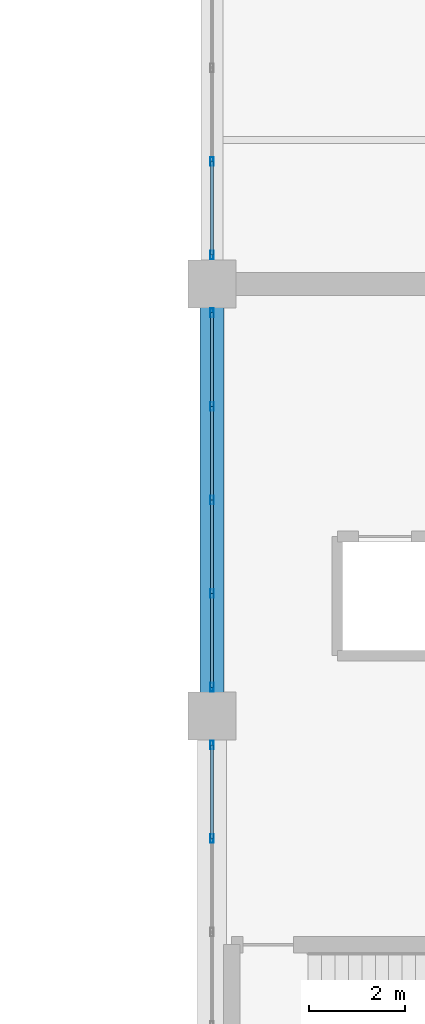
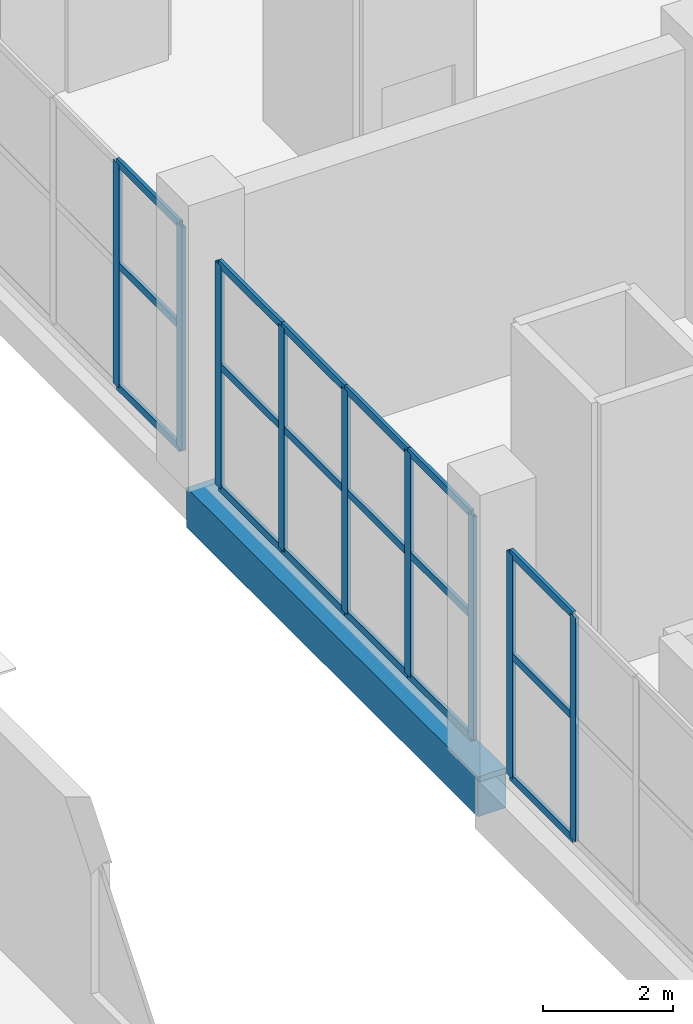
# One storey, part 17 of 147: 27 members, 1 beam, 3 elements without a shape of their own.
"""IFC4 building model written with IfcOpenShell, lengths in metres."""

from ifc_helpers import new_model, si_unit, direction, frame, origin, origin_2d, place, context, subcontext, project, spatial, rectangle, hollow_rectangle, extrude, material, layer, layer_set, material_profile, profile_set, type_object, element, aggregate, save


model = new_model("IFC4")

# Units and contexts
model_context = context("Model", 3, precision=1e-05, world=origin(), true_north=direction((0.0, 1.0)))
body_context = subcontext(model_context, "Body", "Model", "MODEL_VIEW")
ifc_project = project(units=[si_unit("LENGTHUNIT", "METRE"), si_unit("AREAUNIT", "SQUARE_METRE"), si_unit("VOLUMEUNIT", "CUBIC_METRE"), si_unit("PLANEANGLEUNIT", "RADIAN"), si_unit("MASSUNIT", "GRAM", prefix="KILO")], contexts=[model_context])

# Site, building, storey
site_placement = place(None, origin())
site = spatial("IfcSite", under=ifc_project, at=site_placement, CompositionType="ELEMENT")
building_placement = place(site_placement, origin())
building = spatial("IfcBuilding", under=site, at=building_placement, Name="Sundgate Opera House", CompositionType="ELEMENT")
storey_placement = place(building_placement, frame((0.0, 0.0, 6.0)))
storey = spatial("IfcBuildingStorey", under=building, at=storey_placement, Name="L01", CompositionType="ELEMENT", Elevation=6.0)

# Beam
ifc_material_1 = material(Name="Concrete C40/50", Category="concrete")
ifc_material_profile_1 = material_profile(ifc_material_1, rectangle(XDim=0.5, YDim=0.75, at=origin_2d()), Name="RC 500x750")
ifc_profile_set_1 = profile_set([ifc_material_profile_1], Name="Concrete C40/50")
beam_type = type_object("IfcBeamType", Name="BM-RC-500x750", PredefinedType="BEAM", material=ifc_profile_set_1)
beam_placement = place(storey_placement, frame((36.0, 51.0, -0.675048828125), z_axis=(0.0, 1.0, 0.0), x_axis=(-1.0, 0.0, 0.0)))
element("IfcBeam", 1, at=beam_placement, inside=storey, type_object=beam_type, Name="L01 Primary N-S Girder B1112", PredefinedType="BEAM", context=body_context, shape_type="SweptSolid", body=[
    extrude(rectangle(XDim=0.5, YDim=0.75, at=origin_2d()), origin(), (0.0, 0.0, 1.0), 9.0),
])

# Curtain wall, members
ifc_material_2 = material(Name="Anodized aluminium and low-iron glass", Category="aluminium")
ifc_layer = layer(ifc_material_2, 0.179931640625)
ifc_layer_set = layer_set([ifc_layer], Name="Anodized aluminium and low-iron glass")
curtain_wall_type = type_object("IfcCurtainWallType", Name="CW-FOYER-GLASS", PredefinedType="NOTDEFINED", material=ifc_layer_set)
curtain_wall_1_placement = place(storey_placement, origin())
curtain_wall_1 = element("IfcCurtainWall", 2, at=curtain_wall_1_placement, inside=storey, type_object=curtain_wall_type, Name="L01 Curtain Wall CW019", PredefinedType="NOTDEFINED")
ifc_material_3 = material(Name="Anodized aluminium EN AW-6063", Category="aluminium")
ifc_material_profile_2 = material_profile(ifc_material_3, hollow_rectangle(XDim=0.06494140625, YDim=0.179931640625, WallThickness=0.00390625, at=origin_2d()), Name="CWM 180x65x4")
ifc_profile_set_2 = profile_set([ifc_material_profile_2], Name="Anodized aluminium EN AW-6063")
member_type_1 = type_object("IfcMemberType", Name="CWM-ALU-180x65", PredefinedType="MULLION", material=ifc_profile_set_2)
member_1_placement = place(storey_placement, frame((36.0, 50.39990234375, 0.0), z_axis=(0.0, 0.0, 1.0), x_axis=(1.0, 0.0, 0.0)))
member_1 = element("IfcMember", 3, at=member_1_placement, type_object=member_type_1, Name="CW019 Mullion 1", PredefinedType="MULLION", context=body_context, shape_type="SweptSolid", body=[
    extrude(hollow_rectangle(XDim=0.06494140625, YDim=0.179931640625, WallThickness=0.00390625, at=origin_2d()), origin(), (0.0, 0.0, 1.0), 4.215087890625),
])
member_2_placement = place(storey_placement, frame((36.0, 48.449951171875, 0.0), z_axis=(0.0, 0.0, 1.0), x_axis=(1.0, 0.0, 0.0)))
member_2 = element("IfcMember", 4, at=member_2_placement, type_object=member_type_1, Name="CW019 Mullion 2", PredefinedType="MULLION", context=body_context, shape_type="SweptSolid", body=[
    extrude(hollow_rectangle(XDim=0.06494140625, YDim=0.179931640625, WallThickness=0.00390625, at=origin_2d()), origin(), (0.0, 0.0, 1.0), 4.215087890625),
])

curtain_wall_2_placement = place(storey_placement, origin())
curtain_wall_2 = element("IfcCurtainWall", 5, at=curtain_wall_2_placement, inside=storey, type_object=curtain_wall_type, Name="L01 Curtain Wall CW020", PredefinedType="NOTDEFINED")
member_3_placement = place(storey_placement, frame((36.0, 59.39990234375, 0.0), z_axis=(0.0, 0.0, 1.0), x_axis=(1.0, 0.0, 0.0)))
member_3 = element("IfcMember", 6, at=member_3_placement, type_object=member_type_1, Name="CW020 Mullion 1", PredefinedType="MULLION", context=body_context, shape_type="SweptSolid", body=[
    extrude(hollow_rectangle(XDim=0.06494140625, YDim=0.179931640625, WallThickness=0.00390625, at=origin_2d()), origin(), (0.0, 0.0, 1.0), 4.215087890625),
])
member_4_placement = place(storey_placement, frame((36.0, 57.449951171875, 0.0), z_axis=(0.0, 0.0, 1.0), x_axis=(1.0, 0.0, 0.0)))
member_4 = element("IfcMember", 7, at=member_4_placement, type_object=member_type_1, Name="CW020 Mullion 2", PredefinedType="MULLION", context=body_context, shape_type="SweptSolid", body=[
    extrude(hollow_rectangle(XDim=0.06494140625, YDim=0.179931640625, WallThickness=0.00390625, at=origin_2d()), origin(), (0.0, 0.0, 1.0), 4.215087890625),
])
member_5_placement = place(storey_placement, frame((36.0, 55.5, 0.0), z_axis=(0.0, 0.0, 1.0), x_axis=(1.0, 0.0, 0.0)))
member_5 = element("IfcMember", 8, at=member_5_placement, type_object=member_type_1, Name="CW020 Mullion 3", PredefinedType="MULLION", context=body_context, shape_type="SweptSolid", body=[
    extrude(hollow_rectangle(XDim=0.06494140625, YDim=0.179931640625, WallThickness=0.00390625, at=origin_2d()), origin(), (0.0, 0.0, 1.0), 4.215087890625),
])
member_6_placement = place(storey_placement, frame((36.0, 53.550048828125, 0.0), z_axis=(0.0, 0.0, 1.0), x_axis=(1.0, 0.0, 0.0)))
member_6 = element("IfcMember", 9, at=member_6_placement, type_object=member_type_1, Name="CW020 Mullion 4", PredefinedType="MULLION", context=body_context, shape_type="SweptSolid", body=[
    extrude(hollow_rectangle(XDim=0.06494140625, YDim=0.179931640625, WallThickness=0.00390625, at=origin_2d()), origin(), (0.0, 0.0, 1.0), 4.215087890625),
])
member_7_placement = place(storey_placement, frame((36.0, 51.60009765625, 0.0), z_axis=(0.0, 0.0, 1.0), x_axis=(1.0, 0.0, 0.0)))
member_7 = element("IfcMember", 10, at=member_7_placement, type_object=member_type_1, Name="CW020 Mullion 5", PredefinedType="MULLION", context=body_context, shape_type="SweptSolid", body=[
    extrude(hollow_rectangle(XDim=0.06494140625, YDim=0.179931640625, WallThickness=0.00390625, at=origin_2d()), origin(), (0.0, 0.0, 1.0), 4.215087890625),
])

curtain_wall_3_placement = place(storey_placement, origin())
curtain_wall_3 = element("IfcCurtainWall", 11, at=curtain_wall_3_placement, inside=storey, type_object=curtain_wall_type, Name="L01 Curtain Wall CW021", PredefinedType="NOTDEFINED")
member_8_placement = place(storey_placement, frame((36.0, 62.550048828125, 0.0), z_axis=(0.0, 0.0, 1.0), x_axis=(1.0, 0.0, 0.0)))
member_8 = element("IfcMember", 12, at=member_8_placement, type_object=member_type_1, Name="CW021 Mullion 4", PredefinedType="MULLION", context=body_context, shape_type="SweptSolid", body=[
    extrude(hollow_rectangle(XDim=0.06494140625, YDim=0.179931640625, WallThickness=0.00390625, at=origin_2d()), origin(), (0.0, 0.0, 1.0), 4.215087890625),
])
member_9_placement = place(storey_placement, frame((36.0, 60.60009765625, 0.0), z_axis=(0.0, 0.0, 1.0), x_axis=(1.0, 0.0, 0.0)))
member_9 = element("IfcMember", 13, at=member_9_placement, type_object=member_type_1, Name="CW021 Mullion 5", PredefinedType="MULLION", context=body_context, shape_type="SweptSolid", body=[
    extrude(hollow_rectangle(XDim=0.06494140625, YDim=0.179931640625, WallThickness=0.00390625, at=origin_2d()), origin(), (0.0, 0.0, 1.0), 4.215087890625),
])

# Member
ifc_material_4 = material(Name="Anodized aluminium EN AW-6063", Category="aluminium")
ifc_material_profile_3 = material_profile(ifc_material_4, hollow_rectangle(XDim=0.06005859375, YDim=0.139892578125, WallThickness=0.00390625, at=origin_2d()), Name="CWT 140x60x4")
ifc_profile_set_3 = profile_set([ifc_material_profile_3], Name="Anodized aluminium EN AW-6063")
member_type_2 = type_object("IfcMemberType", Name="CWT-ALU-140x60", PredefinedType="USERDEFINED", material=ifc_profile_set_3)
member_10_placement = place(storey_placement, frame((36.0, 50.39990234375, 0.0), z_axis=(0.0, -1.0, 0.0), x_axis=(1.0, 0.0, 0.0)))
member_10 = element("IfcMember", 14, at=member_10_placement, type_object=member_type_2, Name="CW019 Transom 1", ObjectType="TRANSOM", PredefinedType="USERDEFINED", context=body_context, shape_type="SweptSolid", body=[
    extrude(hollow_rectangle(XDim=0.06005859375, YDim=0.139892578125, WallThickness=0.00390625, at=origin_2d()), origin(), (0.0, 0.0, 1.0), 1.949951171875),
])

member_11_placement = place(storey_placement, frame((36.0, 50.39990234375, 2.300048828125), z_axis=(0.0, -1.0, 0.0), x_axis=(1.0, 0.0, 0.0)))
member_11 = element("IfcMember", 15, at=member_11_placement, type_object=member_type_2, Name="CW019 Transom 2", ObjectType="TRANSOM", PredefinedType="USERDEFINED", context=body_context, shape_type="SweptSolid", body=[
    extrude(hollow_rectangle(XDim=0.06005859375, YDim=0.139892578125, WallThickness=0.00390625, at=origin_2d()), origin(), (0.0, 0.0, 1.0), 1.949951171875),
])

member_12_placement = place(storey_placement, frame((36.0, 50.39990234375, 4.215087890625), z_axis=(0.0, -1.0, 0.0), x_axis=(1.0, 0.0, 0.0)))
member_12 = element("IfcMember", 16, at=member_12_placement, type_object=member_type_2, Name="CW019 Transom 3", ObjectType="TRANSOM", PredefinedType="USERDEFINED", context=body_context, shape_type="SweptSolid", body=[
    extrude(hollow_rectangle(XDim=0.06005859375, YDim=0.139892578125, WallThickness=0.00390625, at=origin_2d()), origin(), (0.0, 0.0, 1.0), 1.949951171875),
])

aggregate(curtain_wall_1, [member_1, member_2, member_10, member_11, member_12])

member_13_placement = place(storey_placement, frame((36.0, 59.39990234375, 0.0), z_axis=(0.0, -1.0, 0.0), x_axis=(1.0, 0.0, 0.0)))
member_13 = element("IfcMember", 17, at=member_13_placement, type_object=member_type_2, Name="CW020 Transom 1", ObjectType="TRANSOM", PredefinedType="USERDEFINED", context=body_context, shape_type="SweptSolid", body=[
    extrude(hollow_rectangle(XDim=0.06005859375, YDim=0.139892578125, WallThickness=0.00390625, at=origin_2d()), origin(), (0.0, 0.0, 1.0), 1.949951171875),
])

member_14_placement = place(storey_placement, frame((36.0, 59.39990234375, 2.300048828125), z_axis=(0.0, -1.0, 0.0), x_axis=(1.0, 0.0, 0.0)))
member_14 = element("IfcMember", 18, at=member_14_placement, type_object=member_type_2, Name="CW020 Transom 2", ObjectType="TRANSOM", PredefinedType="USERDEFINED", context=body_context, shape_type="SweptSolid", body=[
    extrude(hollow_rectangle(XDim=0.06005859375, YDim=0.139892578125, WallThickness=0.00390625, at=origin_2d()), origin(), (0.0, 0.0, 1.0), 1.949951171875),
])

member_15_placement = place(storey_placement, frame((36.0, 59.39990234375, 4.215087890625), z_axis=(0.0, -1.0, 0.0), x_axis=(1.0, 0.0, 0.0)))
member_15 = element("IfcMember", 19, at=member_15_placement, type_object=member_type_2, Name="CW020 Transom 3", ObjectType="TRANSOM", PredefinedType="USERDEFINED", context=body_context, shape_type="SweptSolid", body=[
    extrude(hollow_rectangle(XDim=0.06005859375, YDim=0.139892578125, WallThickness=0.00390625, at=origin_2d()), origin(), (0.0, 0.0, 1.0), 1.949951171875),
])

member_16_placement = place(storey_placement, frame((36.0, 57.449951171875, 0.0), z_axis=(0.0, -1.0, 0.0), x_axis=(1.0, 0.0, 0.0)))
member_16 = element("IfcMember", 20, at=member_16_placement, type_object=member_type_2, Name="CW020 Transom 4", ObjectType="TRANSOM", PredefinedType="USERDEFINED", context=body_context, shape_type="SweptSolid", body=[
    extrude(hollow_rectangle(XDim=0.06005859375, YDim=0.139892578125, WallThickness=0.00390625, at=origin_2d()), origin(), (0.0, 0.0, 1.0), 1.949951171875),
])

member_17_placement = place(storey_placement, frame((36.0, 57.449951171875, 2.300048828125), z_axis=(0.0, -1.0, 0.0), x_axis=(1.0, 0.0, 0.0)))
member_17 = element("IfcMember", 21, at=member_17_placement, type_object=member_type_2, Name="CW020 Transom 5", ObjectType="TRANSOM", PredefinedType="USERDEFINED", context=body_context, shape_type="SweptSolid", body=[
    extrude(hollow_rectangle(XDim=0.06005859375, YDim=0.139892578125, WallThickness=0.00390625, at=origin_2d()), origin(), (0.0, 0.0, 1.0), 1.949951171875),
])

member_18_placement = place(storey_placement, frame((36.0, 57.449951171875, 4.215087890625), z_axis=(0.0, -1.0, 0.0), x_axis=(1.0, 0.0, 0.0)))
member_18 = element("IfcMember", 22, at=member_18_placement, type_object=member_type_2, Name="CW020 Transom 6", ObjectType="TRANSOM", PredefinedType="USERDEFINED", context=body_context, shape_type="SweptSolid", body=[
    extrude(hollow_rectangle(XDim=0.06005859375, YDim=0.139892578125, WallThickness=0.00390625, at=origin_2d()), origin(), (0.0, 0.0, 1.0), 1.949951171875),
])

member_19_placement = place(storey_placement, frame((36.0, 55.5, 0.0), z_axis=(0.0, -1.0, 0.0), x_axis=(1.0, 0.0, 0.0)))
member_19 = element("IfcMember", 23, at=member_19_placement, type_object=member_type_2, Name="CW020 Transom 7", ObjectType="TRANSOM", PredefinedType="USERDEFINED", context=body_context, shape_type="SweptSolid", body=[
    extrude(hollow_rectangle(XDim=0.06005859375, YDim=0.139892578125, WallThickness=0.00390625, at=origin_2d()), origin(), (0.0, 0.0, 1.0), 1.949951171875),
])

member_20_placement = place(storey_placement, frame((36.0, 55.5, 2.300048828125), z_axis=(0.0, -1.0, 0.0), x_axis=(1.0, 0.0, 0.0)))
member_20 = element("IfcMember", 24, at=member_20_placement, type_object=member_type_2, Name="CW020 Transom 8", ObjectType="TRANSOM", PredefinedType="USERDEFINED", context=body_context, shape_type="SweptSolid", body=[
    extrude(hollow_rectangle(XDim=0.06005859375, YDim=0.139892578125, WallThickness=0.00390625, at=origin_2d()), origin(), (0.0, 0.0, 1.0), 1.949951171875),
])

member_21_placement = place(storey_placement, frame((36.0, 55.5, 4.215087890625), z_axis=(0.0, -1.0, 0.0), x_axis=(1.0, 0.0, 0.0)))
member_21 = element("IfcMember", 25, at=member_21_placement, type_object=member_type_2, Name="CW020 Transom 9", ObjectType="TRANSOM", PredefinedType="USERDEFINED", context=body_context, shape_type="SweptSolid", body=[
    extrude(hollow_rectangle(XDim=0.06005859375, YDim=0.139892578125, WallThickness=0.00390625, at=origin_2d()), origin(), (0.0, 0.0, 1.0), 1.949951171875),
])

member_22_placement = place(storey_placement, frame((36.0, 53.550048828125, 0.0), z_axis=(0.0, -1.0, 0.0), x_axis=(1.0, 0.0, 0.0)))
member_22 = element("IfcMember", 26, at=member_22_placement, type_object=member_type_2, Name="CW020 Transom 10", ObjectType="TRANSOM", PredefinedType="USERDEFINED", context=body_context, shape_type="SweptSolid", body=[
    extrude(hollow_rectangle(XDim=0.06005859375, YDim=0.139892578125, WallThickness=0.00390625, at=origin_2d()), origin(), (0.0, 0.0, 1.0), 1.949951171875),
])

member_23_placement = place(storey_placement, frame((36.0, 53.550048828125, 2.300048828125), z_axis=(0.0, -1.0, 0.0), x_axis=(1.0, 0.0, 0.0)))
member_23 = element("IfcMember", 27, at=member_23_placement, type_object=member_type_2, Name="CW020 Transom 11", ObjectType="TRANSOM", PredefinedType="USERDEFINED", context=body_context, shape_type="SweptSolid", body=[
    extrude(hollow_rectangle(XDim=0.06005859375, YDim=0.139892578125, WallThickness=0.00390625, at=origin_2d()), origin(), (0.0, 0.0, 1.0), 1.949951171875),
])

member_24_placement = place(storey_placement, frame((36.0, 53.550048828125, 4.215087890625), z_axis=(0.0, -1.0, 0.0), x_axis=(1.0, 0.0, 0.0)))
member_24 = element("IfcMember", 28, at=member_24_placement, type_object=member_type_2, Name="CW020 Transom 12", ObjectType="TRANSOM", PredefinedType="USERDEFINED", context=body_context, shape_type="SweptSolid", body=[
    extrude(hollow_rectangle(XDim=0.06005859375, YDim=0.139892578125, WallThickness=0.00390625, at=origin_2d()), origin(), (0.0, 0.0, 1.0), 1.949951171875),
])

aggregate(curtain_wall_2, [member_3, member_4, member_5, member_6, member_7, member_13, member_14, member_15, member_16, member_17, member_18, member_19, member_20, member_21, member_22, member_23, member_24])

member_25_placement = place(storey_placement, frame((36.0, 62.550048828125, 0.0), z_axis=(0.0, -1.0, 0.0), x_axis=(1.0, 0.0, 0.0)))
member_25 = element("IfcMember", 29, at=member_25_placement, type_object=member_type_2, Name="CW021 Transom 10", ObjectType="TRANSOM", PredefinedType="USERDEFINED", context=body_context, shape_type="SweptSolid", body=[
    extrude(hollow_rectangle(XDim=0.06005859375, YDim=0.139892578125, WallThickness=0.00390625, at=origin_2d()), origin(), (0.0, 0.0, 1.0), 1.949951171875),
])

member_26_placement = place(storey_placement, frame((36.0, 62.550048828125, 2.300048828125), z_axis=(0.0, -1.0, 0.0), x_axis=(1.0, 0.0, 0.0)))
member_26 = element("IfcMember", 30, at=member_26_placement, type_object=member_type_2, Name="CW021 Transom 11", ObjectType="TRANSOM", PredefinedType="USERDEFINED", context=body_context, shape_type="SweptSolid", body=[
    extrude(hollow_rectangle(XDim=0.06005859375, YDim=0.139892578125, WallThickness=0.00390625, at=origin_2d()), origin(), (0.0, 0.0, 1.0), 1.949951171875),
])

member_27_placement = place(storey_placement, frame((36.0, 62.550048828125, 4.215087890625), z_axis=(0.0, -1.0, 0.0), x_axis=(1.0, 0.0, 0.0)))
member_27 = element("IfcMember", 31, at=member_27_placement, type_object=member_type_2, Name="CW021 Transom 12", ObjectType="TRANSOM", PredefinedType="USERDEFINED", context=body_context, shape_type="SweptSolid", body=[
    extrude(hollow_rectangle(XDim=0.06005859375, YDim=0.139892578125, WallThickness=0.00390625, at=origin_2d()), origin(), (0.0, 0.0, 1.0), 1.949951171875),
])

aggregate(curtain_wall_3, [member_8, member_9, member_25, member_26, member_27])

save(model, "model.ifc")
